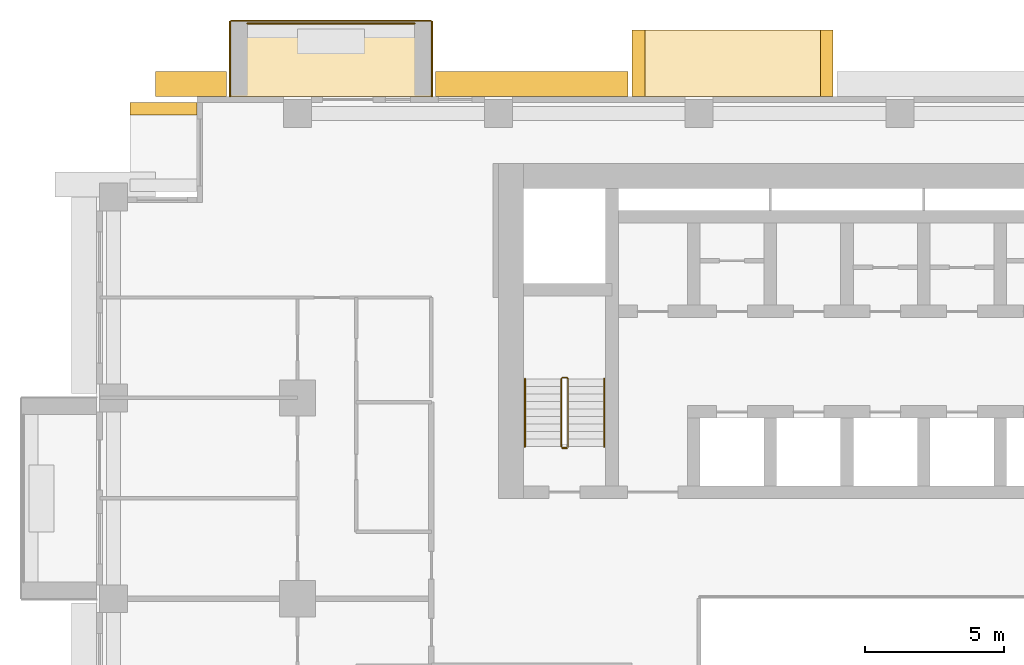
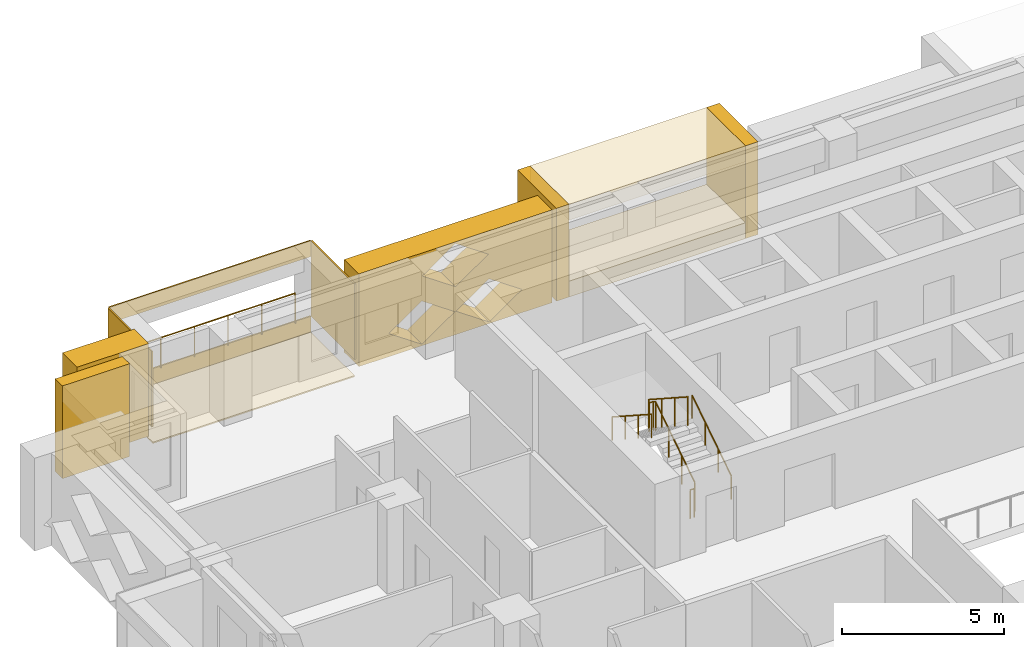
# One storey, part 15 of 17: 12 coverings, 5 railings.
"""IFC4 building model written with IfcOpenShell, lengths in metres."""

import ifcopenshell
import ifcopenshell.guid

model = None  # the IFC model being written
_history = None  # IfcOwnerHistory: only IFC2X3 demands one
_inside = {}  # id of a spatial element -> (the spatial element, [elements in it])
_under = {}  # id of a project, library or spatial element -> (it, [spatial elements below it])
_declared = {}  # id of a project -> (the project, [libraries it declares])
_typed = {}  # id of a type object -> (the type object, [elements of that type])
_made_of = {}  # id of a material, layer set ... -> (it, [elements and type objects made of it])


def new_model(schema):
    """Start an empty IFC model of exactly this schema.

    Asked for "IFC4X3", IfcOpenShell would pick the latest addendum, in which some entities
    have other attributes; the version numbers below select the first issue.
    IFC2X3 requires an IfcOwnerHistory on every rooted entity: one is made here for all.
    """
    global model, _history
    if schema == "IFC4X3":
        model = ifcopenshell.file(schema_version=(4, 3, 0, 0))
    else:
        model = ifcopenshell.file(schema=schema)
    _inside.clear()
    _under.clear()
    _declared.clear()
    _typed.clear()
    _made_of.clear()
    _history = None
    if model.schema == "IFC2X3":
        org = make("IfcOrganization", Name="unknown")
        user = make(
            "IfcPersonAndOrganization",
            ThePerson=make("IfcPerson", FamilyName="unknown"),
            TheOrganization=org,
        )
        app = make(
            "IfcApplication",
            ApplicationDeveloper=org,
            Version="unknown",
            ApplicationFullName="unknown",
            ApplicationIdentifier="unknown",
        )
        _history = make(
            "IfcOwnerHistory",
            OwningUser=user,
            OwningApplication=app,
            ChangeAction="ADDED",
            CreationDate=0,
        )
    return model


def make(cls, **values):
    """One entity of the class cls with the attributes given. An attribute that is None is left unset."""
    return model.create_entity(
        cls, **{name: value for name, value in values.items() if value is not None}
    )


def rooted(cls, **values):
    """An entity with a GlobalId (a new one), such as an element, a storey or a relation."""
    return make(cls, GlobalId=ifcopenshell.guid.new(), OwnerHistory=_history, **values)


def si_unit(unit_type, name, prefix=None):
    """IfcSIUnit, for example si_unit("LENGTHUNIT", "METRE", prefix="MILLI")."""
    return make("IfcSIUnit", UnitType=unit_type, Prefix=prefix, Name=name)


def assignment(units):
    """IfcUnitAssignment: the units of a project."""
    return None if units is None else make("IfcUnitAssignment", Units=units)


def point(xyz):
    """IfcCartesianPoint."""
    return None if xyz is None else make("IfcCartesianPoint", Coordinates=xyz)


def direction(xyz):
    """IfcDirection."""
    return None if xyz is None else make("IfcDirection", DirectionRatios=xyz)


def frame(location, z_axis=None, x_axis=None):
    """IfcAxis2Placement3D, a coordinate frame: its origin and axes. An axis left out is left unset."""
    return make(
        "IfcAxis2Placement3D",
        Location=point(location),
        Axis=direction(z_axis),
        RefDirection=direction(x_axis),
    )


def frame_2d(location, x_axis=None):
    """IfcAxis2Placement2D, a coordinate frame in the plane: its origin and x axis."""
    return make(
        "IfcAxis2Placement2D", Location=point(location), RefDirection=direction(x_axis)
    )


def origin():
    """The frame at (0, 0, 0) with its axes left unset."""
    return frame((0.0, 0.0, 0.0))


def origin_2d():
    """The frame at (0, 0) in the plane with its x axis left unset."""
    return frame_2d((0.0, 0.0))


def place(relative_to, where):
    """IfcLocalPlacement: puts the frame where relative to a parent placement (None: the world)."""
    return make(
        "IfcLocalPlacement", PlacementRelTo=relative_to, RelativePlacement=where
    )


def context(
    kind, dimensions, precision=None, world=None, true_north=None, identifier=None
):
    """IfcGeometricRepresentationContext, for example the 3D "Model" context."""
    return make(
        "IfcGeometricRepresentationContext",
        ContextIdentifier=identifier,
        ContextType=kind,
        CoordinateSpaceDimension=dimensions,
        Precision=precision,
        WorldCoordinateSystem=world,
        TrueNorth=true_north,
    )


def subcontext(parent, identifier, kind, view, scale=None):
    """IfcGeometricRepresentationSubContext, for example "Body" below "Model"."""
    return make(
        "IfcGeometricRepresentationSubContext",
        ContextIdentifier=identifier,
        ContextType=kind,
        ParentContext=parent,
        TargetScale=scale,
        TargetView=view,
    )


def project(units=None, contexts=None):
    """IfcProject with its units and contexts."""
    return rooted(
        "IfcProject",
        Name="project",
        RepresentationContexts=contexts,
        UnitsInContext=assignment(units),
    )


def spatial(cls, under=None, at=None, **own):
    """A site, building, storey or space (cls), placed at a placement, below another one or the project."""
    s = rooted(cls, ObjectPlacement=at, **own)
    if under is not None:
        _under.setdefault(under.id(), (under, []))[1].append(s)
    return s


def polyline(points):
    """IfcPolyline through the points."""
    return make("IfcPolyline", Points=[point(p) for p in points])


def profile(cls, at=None, kind="AREA", **sizes):
    """A parametric profile (cls). Its sizes go by their IFC names, for example OverallWidth=200.0."""
    return make(cls, ProfileType=kind, Position=at, **sizes)


def circle(**sizes):
    """IfcCircleProfileDef."""
    return profile("IfcCircleProfileDef", **sizes)


def outline(outer, holes=None, kind="AREA"):
    """IfcArbitraryClosedProfileDef: a profile drawn as a closed curve; with holes, ...WithVoids."""
    if holes is None:
        return make("IfcArbitraryClosedProfileDef", ProfileType=kind, OuterCurve=outer)
    return make(
        "IfcArbitraryProfileDefWithVoids",
        ProfileType=kind,
        OuterCurve=outer,
        InnerCurves=holes,
    )


def extrude(swept, where, along, depth):
    """IfcExtrudedAreaSolid: the profile swept, set in the frame where, extruded along a direction by depth."""
    return make(
        "IfcExtrudedAreaSolid",
        SweptArea=swept,
        Position=where,
        ExtrudedDirection=direction(along),
        Depth=depth,
    )


def shape(context_of_items, identifier, shape_type, items):
    """IfcShapeRepresentation: the items that make up one representation, for example the "Body"."""
    return make(
        "IfcShapeRepresentation",
        ContextOfItems=context_of_items,
        RepresentationIdentifier=identifier,
        RepresentationType=shape_type,
        Items=items,
    )


def material(Name=None, Category=None):
    """IfcMaterial."""
    return make("IfcMaterial", Name=Name, Category=Category)


def layer(
    of_material, thickness, ventilated=None, Name=None, Category=None, Priority=None
):
    """IfcMaterialLayer: one layer of a wall or slab, of a material (None: an air gap)."""
    return make(
        "IfcMaterialLayer",
        Material=of_material,
        LayerThickness=thickness,
        IsVentilated=ventilated,
        Name=Name,
        Category=Category,
        Priority=Priority,
    )


def layer_set(layers, Name=None):
    """IfcMaterialLayerSet."""
    return make("IfcMaterialLayerSet", MaterialLayers=layers, LayerSetName=Name)


def made_of(thing, what):
    """Note that an element or type object is made of a material, layer set ...; save() writes the relation."""
    if what is not None:
        _made_of.setdefault(what.id(), (what, []))[1].append(thing)
    return thing


def type_object(cls, material=None, **own):
    """A type object (cls), such as IfcWallType, which elements share."""
    return made_of(rooted(cls, **own), material)


def element(
    cls,
    number,
    at=None,
    inside=None,
    cuts=None,
    type_object=None,
    material=None,
    context=None,
    identifier="Body",
    shape_type=None,
    held_by="IfcProductDefinitionShape",
    body=None,
    shapes=None,
    **own,
):
    """One element of the class cls, such as IfcWall. Its Tag is "e" and its number.

    at: its placement. inside: the storey or other place that contains it. cuts: it is an
    opening in that element (IfcRelVoidsElement). A single representation is given by context,
    identifier, shape_type and body (its items); several are given by shapes. held_by: the class
    of the entity that holds the representations. save() writes the other relations.
    """
    e = rooted(cls, Tag="e%d" % number, ObjectPlacement=at, **own)
    if body is not None:
        shapes = [shape(context, identifier, shape_type, body)]
    if shapes is not None:
        e.Representation = make(held_by, Representations=shapes)
    if inside is not None:
        _inside.setdefault(inside.id(), (inside, []))[1].append(e)
    if cuts is not None:
        rooted(
            "IfcRelVoidsElement", RelatingBuildingElement=cuts, RelatedOpeningElement=e
        )
    if type_object is not None:
        _typed.setdefault(type_object.id(), (type_object, []))[1].append(e)
    return made_of(e, material)


def aggregate(whole, parts):
    """IfcRelAggregates: a whole, such as a stair, and the parts it consists of."""
    return rooted("IfcRelAggregates", RelatingObject=whole, RelatedObjects=parts)


def save(model, path):
    """Write the relations noted so far, then the file.

    IfcRelAggregates (storeys below a building ...), IfcRelContainedInSpatialStructure (elements
    in a storey), IfcRelDefinesByType, IfcRelAssociatesMaterial and IfcRelDeclares: one each for
    every whole, place, type object, material and project.
    """
    for whole, parts in _under.values():
        aggregate(whole, parts)
    for where, things in _inside.values():
        rooted(
            "IfcRelContainedInSpatialStructure",
            RelatedElements=things,
            RelatingStructure=where,
        )
    for kind, things in _typed.values():
        rooted("IfcRelDefinesByType", RelatedObjects=things, RelatingType=kind)
    for what, things in _made_of.values():
        rooted("IfcRelAssociatesMaterial", RelatedObjects=things, RelatingMaterial=what)
    for by, libraries in _declared.values():
        rooted("IfcRelDeclares", RelatingContext=by, RelatedDefinitions=libraries)
    model.write(path)


model = new_model("IFC4")

# Units and contexts
model_context = context("Model", 3, precision=1e-05, world=origin(), true_north=direction((0.0, 1.0)))
body_context = subcontext(model_context, "Body", "Model", "MODEL_VIEW")
ifc_project = project(units=[si_unit("LENGTHUNIT", "METRE"), si_unit("AREAUNIT", "SQUARE_METRE"), si_unit("VOLUMEUNIT", "CUBIC_METRE"), si_unit("PLANEANGLEUNIT", "RADIAN"), si_unit("MASSUNIT", "GRAM", prefix="KILO")], contexts=[model_context])

# Site, building, storey
site_placement = place(None, origin())
site = spatial("IfcSite", under=ifc_project, at=site_placement, CompositionType="ELEMENT")
building_placement = place(site_placement, origin())
building = spatial("IfcBuilding", under=site, at=building_placement, Name="Saffron Iwan Residences", CompositionType="ELEMENT")
storey_placement = place(building_placement, frame((0.0, 0.0, 79.5)))
storey = spatial("IfcBuildingStorey", under=building, at=storey_placement, Name="L20", CompositionType="ELEMENT", Elevation=79.5)

# Railing
ifc_material_1 = material(Name="Stainless steel 316", Category="steel")
railing_type_1 = type_object("IfcRailingType", Name="BALCONY GUARD 1150", PredefinedType="GUARDRAIL", material=ifc_material_1)
railing_1_placement = place(storey_placement, frame((25.800048828125, 83.02490234375, 0.0)))
element("IfcRailing", 1, at=railing_1_placement, inside=storey, type_object=railing_type_1, Name="Balcony guard L20 F5-3", PredefinedType="GUARDRAIL", context=body_context, shape_type="SweptSolid", body=[
    extrude(circle(Radius=0.02392578125, at=origin_2d()), frame((0.0, 0.0, 1.1259765625), z_axis=(-1.0, 0.0, 0.0), x_axis=(0.0, -1.0, 0.0)), (0.0, 0.0, 1.0), 6.0),
    extrude(circle(Radius=0.02099609375, at=origin_2d()), origin(), (0.0, 0.0, 1.0), 1.101806640625),
    extrude(circle(Radius=0.02099609375, at=origin_2d()), frame((-1.199951171875, 0.0, 0.0)), (0.0, 0.0, 1.0), 1.101806640625),
    extrude(circle(Radius=0.02099609375, at=origin_2d()), frame((-2.39990234375, 0.0, 0.0)), (0.0, 0.0, 1.0), 1.101806640625),
    extrude(circle(Radius=0.02099609375, at=origin_2d()), frame((-3.60009765625, 0.0, 0.0)), (0.0, 0.0, 1.0), 1.101806640625),
    extrude(circle(Radius=0.02099609375, at=origin_2d()), frame((-4.800048828125, 0.0, 0.0)), (0.0, 0.0, 1.0), 1.101806640625),
    extrude(circle(Radius=0.02099609375, at=origin_2d()), frame((-6.0, 0.0, 0.0)), (0.0, 0.0, 1.0), 1.101806640625),
])

# Coverings
ifc_material_2 = material(Name="Precast concrete C40/50 white painted", Category="concrete")
ifc_layer = layer(ifc_material_2, 0.050048828125)
ifc_layer_set = layer_set([ifc_layer], Name="Precast concrete C40/50 white painted")
covering_type_1 = type_object("IfcCoveringType", Name="FRAME SKIN PRECAST WHITE 50", PredefinedType="CLADDING", material=ifc_layer_set)
for number, where, name in (
    (2, (0.0, 0.0, -0.60009765625), "Frame skin slab edge L20 F5-3"),
    (3, (0.0, 0.0, 2.25), "Frame skin fascia L20 F5-3"),
):
    element("IfcCovering", number, at=place(storey_placement, frame(where)), inside=storey, type_object=covering_type_1, Name=name, PredefinedType="CLADDING", context=body_context, shape_type="SweptSolid", body=[
        extrude(outline(polyline([(26.39990234375, 83.14990234375), (19.199951171875, 83.14990234375), (19.199951171875, 83.10009765625), (26.39990234375, 83.10009765625), (26.39990234375, 83.14990234375)])), origin(), (0.0, 0.0, 1.0), 0.60009765625),
    ])
covering_1_placement = place(storey_placement, frame((0.0, 0.0, -0.64990234375)))
element("IfcCovering", 4, at=covering_1_placement, inside=storey, type_object=covering_type_1, Name="Frame skin soffit L20 F5-3", PredefinedType="CLADDING", context=body_context, shape_type="SweptSolid", body=[
    extrude(outline(polyline([(26.39990234375, 83.10009765625), (19.199951171875, 83.10009765625), (19.199951171875, 80.39990234375), (26.39990234375, 80.39990234375), (26.39990234375, 83.10009765625)])), origin(), (0.0, 0.0, 1.0), 0.0498046875),
])
covering_2_placement = place(storey_placement, origin())
element("IfcCovering", 5, at=covering_2_placement, inside=storey, type_object=covering_type_1, Name="Frame skin fin L20 F5-3a", PredefinedType="CLADDING", context=body_context, shape_type="SweptSolid", body=[
    extrude(outline(polyline([(26.449951171875, 83.10009765625), (26.39990234375, 83.10009765625), (26.39990234375, 80.39990234375), (26.449951171875, 80.39990234375), (26.449951171875, 83.10009765625)])), origin(), (0.0, 0.0, 1.0), 2.85009765625),
])
covering_3_placement = place(storey_placement, origin())
element("IfcCovering", 6, at=covering_3_placement, inside=storey, type_object=covering_type_1, Name="Frame skin fin L20 F5-3b", PredefinedType="CLADDING", context=body_context, shape_type="SweptSolid", body=[
    extrude(outline(polyline([(19.199951171875, 83.10009765625), (19.14990234375, 83.10009765625), (19.14990234375, 80.39990234375), (19.199951171875, 80.39990234375), (19.199951171875, 83.10009765625)])), origin(), (0.0, 0.0, 1.0), 2.85009765625),
])
ifc_material_3 = material(Name="Precast concrete C40/50", Category="concrete")
covering_type_2 = type_object("IfcCoveringType", Name="OUTER SKIN LATTICE SCREEN", PredefinedType="CLADDING", material=ifc_material_3)
covering_4_placement = place(storey_placement, frame((33.449951171875, 80.39990234375, -0.320068359375), z_axis=(0.0, 1.0, 0.0), x_axis=(-1.0, 0.0, 0.0)))
element("IfcCovering", 7, at=covering_4_placement, inside=storey, type_object=covering_type_2, Name="OUTER SKIN lattice screen L20 F5.3", PredefinedType="CLADDING", context=body_context, shape_type="SweptSolid", body=[
    extrude(outline(polyline([(0.0, 0.0), (6.89990234375, 0.0), (6.89990234375, 3.5), (0.0, 3.5), (0.0, 0.0)]), holes=[polyline([(1.070068359375, 0.875), (2.25, 0.06005859375), (3.429931640625, 0.875), (2.25, 1.68994140625), (1.070068359375, 0.875)]), polyline([(3.469970703125, 0.875), (4.64990234375, 0.06005859375), (5.830078125, 0.875), (4.64990234375, 1.68994140625), (3.469970703125, 0.875)]), polyline([(2.27001953125, 2.625), (3.449951171875, 1.81005859375), (4.6298828125, 2.625), (3.449951171875, 3.43994140625), (2.27001953125, 2.625)])]), origin(), (0.0, 0.0, 1.0), 0.900146484375),
])
covering_5_placement = place(storey_placement, frame((19.050048828125, 80.39990234375, -0.320068359375), z_axis=(0.0, 1.0, 0.0), x_axis=(-1.0, 0.0, 0.0)))
element("IfcCovering", 8, at=covering_5_placement, inside=storey, type_object=covering_type_2, Name="OUTER SKIN lattice screen L20 F5.4", PredefinedType="CLADDING", context=body_context, shape_type="SweptSolid", body=[
    extrude(outline(polyline([(0.0, 0.0), (2.550048828125, 0.0), (2.550048828125, 3.5), (0.0, 3.5), (0.0, 0.0)])), origin(), (0.0, 0.0, 1.0), 0.900146484375),
])

# Railings
ifc_material_4 = material(Name="Steel S355", Category="steel")
railing_type_2 = type_object("IfcRailingType", Name="Stair guard 1100", PredefinedType="GUARDRAIL", material=ifc_material_4)
railing_2_placement = place(storey_placement, frame((31.300048828125, 67.85009765625, 0.175048828125)))
element("IfcRailing", 9, at=railing_2_placement, inside=storey, type_object=railing_type_2, Name="L20 ST-W stair guard 1", PredefinedType="GUARDRAIL", context=body_context, shape_type="SweptSolid", body=[
    extrude(circle(Radius=0.02392578125, at=origin_2d()), frame((0.0, 0.0, 1.076171875), z_axis=(0.0, 0.839153699163, 0.543894354798), x_axis=(-1.0, 0.0, 0.0)), (0.0, 0.0, 1.0), 2.895751953125),
    extrude(circle(Radius=0.02392578125, at=origin_2d()), frame((0.0, 2.429931640625, 2.65087890625), z_axis=(-0.707106781187, 0.707106781187, 0.0), x_axis=(-0.707106781187, -0.707106781187, 0.0)), (0.0, 0.0, 1.0), 0.07080078125),
    extrude(circle(Radius=0.02392578125, at=origin_2d()), frame((-0.050048828125, 2.47998046875, 2.65087890625), z_axis=(-1.0, 0.0, 0.0), x_axis=(0.0, -1.0, 0.0)), (0.0, 0.0, 1.0), 0.14990234375),
    extrude(circle(Radius=0.02392578125, at=origin_2d()), frame((-0.199951171875, 2.47998046875, 2.65087890625), z_axis=(-0.265065253269, -0.265065253269, 0.927081885822), x_axis=(0.707106781187, -0.707106781187, 0.0)), (0.0, 0.0, 1.0), 0.188720703125),
    extrude(circle(Radius=0.02392578125, at=origin_2d()), frame((-0.25, 2.429931640625, 2.826171875), z_axis=(0.0, -0.839153699163, 0.543894354798), x_axis=(1.0, 0.0, 0.0)), (0.0, 0.0, 1.0), 2.895751953125),
    extrude(circle(Radius=0.02099609375, at=origin_2d()), origin(), (0.0, 0.0, 1.0), 1.052001953125),
    extrude(circle(Radius=0.02099609375, at=origin_2d()), frame((0.0, 0.81005859375, 0.52490234375)), (0.0, 0.0, 1.0), 1.052001953125),
    extrude(circle(Radius=0.02099609375, at=origin_2d()), frame((0.0, 1.619873046875, 1.050048828125)), (0.0, 0.0, 1.0), 1.052001953125),
    extrude(circle(Radius=0.02099609375, at=origin_2d()), frame((0.0, 2.429931640625, 1.574951171875)), (0.0, 0.0, 1.0), 1.052001953125),
    extrude(circle(Radius=0.02099609375, at=origin_2d()), frame((-0.050048828125, 2.47998046875, 1.574951171875)), (0.0, 0.0, 1.0), 1.052001953125),
    extrude(circle(Radius=0.02099609375, at=origin_2d()), frame((-0.199951171875, 2.47998046875, 1.574951171875)), (0.0, 0.0, 1.0), 1.052001953125),
    extrude(circle(Radius=0.02099609375, at=origin_2d()), frame((-0.25, 2.429931640625, 1.75)), (0.0, 0.0, 1.0), 1.052001953125),
    extrude(circle(Radius=0.02099609375, at=origin_2d()), frame((-0.25, 1.619873046875, 2.27490234375)), (0.0, 0.0, 1.0), 1.052001953125),
    extrude(circle(Radius=0.02099609375, at=origin_2d()), frame((-0.25, 0.81005859375, 2.800048828125)), (0.0, 0.0, 1.0), 1.052001953125),
    extrude(circle(Radius=0.02099609375, at=origin_2d()), frame((-0.25, 0.0, 3.324951171875)), (0.0, 0.0, 1.0), 1.052001953125),
])
railing_3_placement = place(storey_placement, frame((31.25, 67.800048828125, 0.0)))
element("IfcRailing", 10, at=railing_3_placement, inside=storey, type_object=railing_type_2, Name="L20 ST-W stair guard 2", PredefinedType="GUARDRAIL", context=body_context, shape_type="SweptSolid", body=[
    extrude(circle(Radius=0.02392578125, at=origin_2d()), frame((0.0, 0.0, 1.076171875), z_axis=(-1.0, 0.0, 0.0), x_axis=(0.0, -1.0, 0.0)), (0.0, 0.0, 1.0), 0.14990234375),
    extrude(circle(Radius=0.02099609375, at=origin_2d()), origin(), (0.0, 0.0, 1.0), 1.052001953125),
    extrude(circle(Radius=0.02099609375, at=origin_2d()), frame((-0.14990234375, 0.0, 0.0)), (0.0, 0.0, 1.0), 1.052001953125),
])
railing_type_3 = type_object("IfcRailingType", Name="Stair handrail 900", PredefinedType="HANDRAIL", material=ifc_material_1)
railing_4_placement = place(storey_placement, frame((32.60009765625, 67.85009765625, 0.175048828125)))
element("IfcRailing", 11, at=railing_4_placement, inside=storey, type_object=railing_type_3, Name="L20 ST-W stair handrail 1", PredefinedType="HANDRAIL", context=body_context, shape_type="SweptSolid", body=[
    extrude(circle(Radius=0.02392578125, at=origin_2d()), frame((0.0, 0.0, 0.8759765625), z_axis=(0.0, 0.839153699163, 0.543894354798), x_axis=(-1.0, 0.0, 0.0)), (0.0, 0.0, 1.0), 2.895751953125),
    extrude(circle(Radius=0.02099609375, at=origin_2d()), origin(), (0.0, 0.0, 1.0), 0.851806640625),
    extrude(circle(Radius=0.02099609375, at=origin_2d()), frame((0.0, 0.81005859375, 0.52490234375)), (0.0, 0.0, 1.0), 0.851806640625),
    extrude(circle(Radius=0.02099609375, at=origin_2d()), frame((0.0, 1.619873046875, 1.050048828125)), (0.0, 0.0, 1.0), 0.851806640625),
    extrude(circle(Radius=0.02099609375, at=origin_2d()), frame((0.0, 2.429931640625, 1.574951171875)), (0.0, 0.0, 1.0), 0.851806640625),
])
railing_5_placement = place(storey_placement, frame((29.75, 70.280029296875, 1.925048828125)))
element("IfcRailing", 12, at=railing_5_placement, inside=storey, type_object=railing_type_3, Name="L20 ST-W stair handrail 2", PredefinedType="HANDRAIL", context=body_context, shape_type="SweptSolid", body=[
    extrude(circle(Radius=0.02392578125, at=origin_2d()), frame((0.0, 0.0, 0.8759765625), z_axis=(0.0, -0.839153699163, 0.543894354798), x_axis=(1.0, 0.0, 0.0)), (0.0, 0.0, 1.0), 2.895751953125),
    extrude(circle(Radius=0.02099609375, at=origin_2d()), origin(), (0.0, 0.0, 1.0), 0.851806640625),
    extrude(circle(Radius=0.02099609375, at=origin_2d()), frame((0.0, -0.81005859375, 0.52490234375)), (0.0, 0.0, 1.0), 0.851806640625),
    extrude(circle(Radius=0.02099609375, at=origin_2d()), frame((0.0, -1.619873046875, 1.050048828125)), (0.0, 0.0, 1.0), 0.851806640625),
    extrude(circle(Radius=0.02099609375, at=origin_2d()), frame((0.0, -2.429931640625, 1.574951171875)), (0.0, 0.0, 1.0), 0.851806640625),
])

# Coverings
covering_type_3 = type_object("IfcCoveringType", Name="WHITE SUN FRAME PRECAST", PredefinedType="CLADDING", material=ifc_material_2)
for number, where, z_axis, x_axis, name in (
    (13, (40.800048828125, 80.39990234375, -0.320068359375), (0.0, 1.0, 0.0), (-1.0, 0.0, 0.0), "Sun frame L20 F5 42.0a"),
    (14, (34.050048828125, 80.39990234375, -0.320068359375), (0.0, 1.0, 0.0), (-1.0, 0.0, 0.0), "Sun frame L20 F5 42.0b"),
):
    element("IfcCovering", number, at=place(storey_placement, frame(where, z_axis=z_axis, x_axis=x_axis)), inside=storey, type_object=covering_type_3, Name=name, PredefinedType="CLADDING", context=body_context, shape_type="SweptSolid", body=[
        extrude(outline(polyline([(0.0, 0.0), (0.449951171875, 0.0), (0.449951171875, 3.5), (0.0, 3.5), (0.0, 0.0)])), origin(), (0.0, 0.0, 1.0), 2.400146484375),
    ])
for number, where, z_axis, x_axis, name in (
    (15, (40.35009765625, 80.39990234375, 2.580078125), (0.0, 1.0, 0.0), (-1.0, 0.0, 0.0), "Sun frame L20 F5 42.0h"),
    (16, (40.35009765625, 80.39990234375, -0.320068359375), (0.0, 1.0, 0.0), (-1.0, 0.0, 0.0), "Sun frame L20 F5 42.0s"),
):
    element("IfcCovering", number, at=place(storey_placement, frame(where, z_axis=z_axis, x_axis=x_axis)), inside=storey, type_object=covering_type_3, Name=name, PredefinedType="CLADDING", context=body_context, shape_type="SweptSolid", body=[
        extrude(outline(polyline([(0.0, 0.0), (6.300048828125, 0.0), (6.300048828125, 0.60009765625), (0.0, 0.60009765625), (0.0, 0.0)])), origin(), (0.0, 0.0, 1.0), 2.400146484375),
    ])
covering_6_placement = place(storey_placement, frame((18.0, 80.199951171875, -0.320068359375), z_axis=(-1.0, 0.0, 0.0), x_axis=(0.0, -1.0, 0.0)))
element("IfcCovering", 17, at=covering_6_placement, inside=storey, type_object=covering_type_3, Name="Sun frame L20 F6 0.2a", PredefinedType="CLADDING", context=body_context, shape_type="SweptSolid", body=[
    extrude(outline(polyline([(0.0, 0.0), (0.449951171875, 0.0), (0.449951171875, 3.5), (0.0, 3.5), (0.0, 0.0)])), origin(), (0.0, 0.0, 1.0), 2.39990234375),
])

save(model, "model.ifc")
